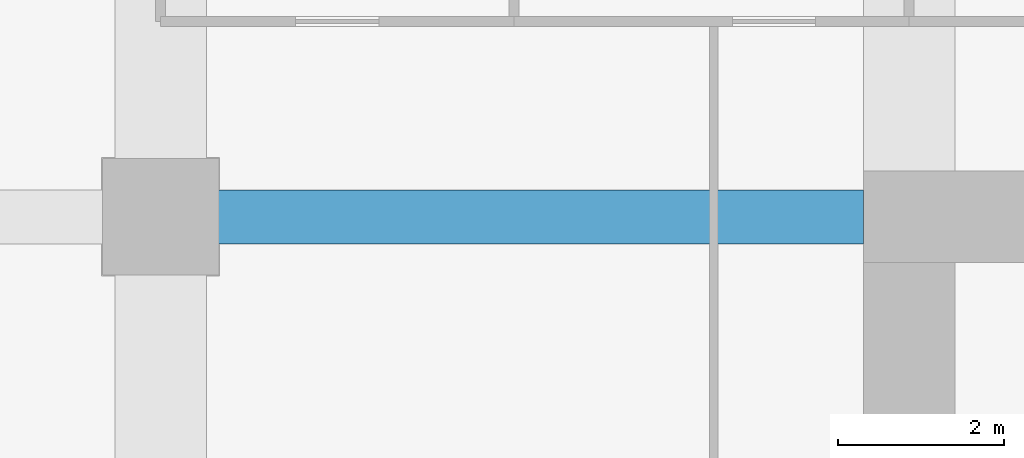
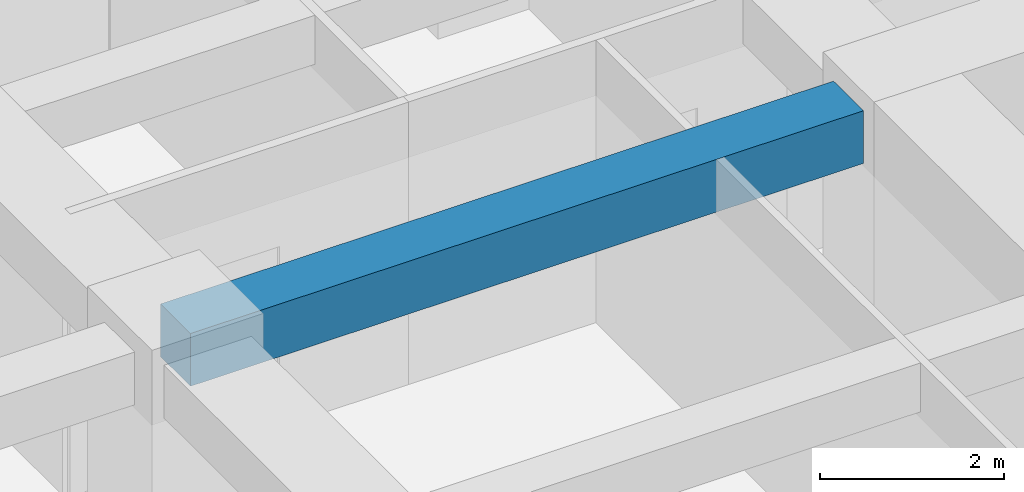
# One storey, part 21 of 34: 1 beam.
"""IFC4 building model written with IfcOpenShell, lengths in metres."""

from ifc_helpers import new_model, si_unit, direction, frame, origin, origin_2d, place, context, subcontext, project, spatial, rectangle, extrude, material, material_profile, profile_set, type_object, element, save


model = new_model("IFC4")

# Units and contexts
model_context = context("Model", 3, precision=1e-05, world=origin(), true_north=direction((0.0, 1.0)))
body_context = subcontext(model_context, "Body", "Model", "MODEL_VIEW")
ifc_project = project(units=[si_unit("LENGTHUNIT", "METRE"), si_unit("AREAUNIT", "SQUARE_METRE"), si_unit("VOLUMEUNIT", "CUBIC_METRE"), si_unit("PLANEANGLEUNIT", "RADIAN"), si_unit("MASSUNIT", "GRAM", prefix="KILO")], contexts=[model_context])

# Site, building, storey
site_placement = place(None, origin())
site = spatial("IfcSite", under=ifc_project, at=site_placement, CompositionType="ELEMENT")
building_placement = place(site_placement, origin())
building = spatial("IfcBuilding", under=site, at=building_placement, Name="Zorevar Civic Tower", CompositionType="ELEMENT")
storey_placement = place(building_placement, frame((0.0, 0.0, 214.199951171875)))
storey = spatial("IfcBuildingStorey", under=building, at=storey_placement, Name="L52", CompositionType="ELEMENT", Elevation=214.199951171875)

# Beam
ifc_material = material(Name="Concrete C50/60", Category="concrete")
ifc_material_profile = material_profile(ifc_material, rectangle(XDim=0.64990234375, YDim=0.699951171875, at=origin_2d()), Name="RC 650x700")
ifc_profile_set = profile_set([ifc_material_profile], Name="Concrete C50/60")
beam_type = type_object("IfcBeamType", Name="Beam RC 650x700", PredefinedType="BEAM", material=ifc_profile_set)
beam_placement = place(storey_placement, frame((9.0, 36.0, 3.400146484375), z_axis=(1.0, 0.0, 0.0), x_axis=(0.0, 1.0, 0.0)))
element("IfcBeam", 1, at=beam_placement, inside=storey, type_object=beam_type, Name="Girder L53", PredefinedType="BEAM", context=body_context, shape_type="SweptSolid", body=[
    extrude(rectangle(XDim=0.64990234375, YDim=0.699951171875, at=origin_2d()), origin(), (0.0, 0.0, 1.0), 8.449951171875),
])

save(model, "model.ifc")
